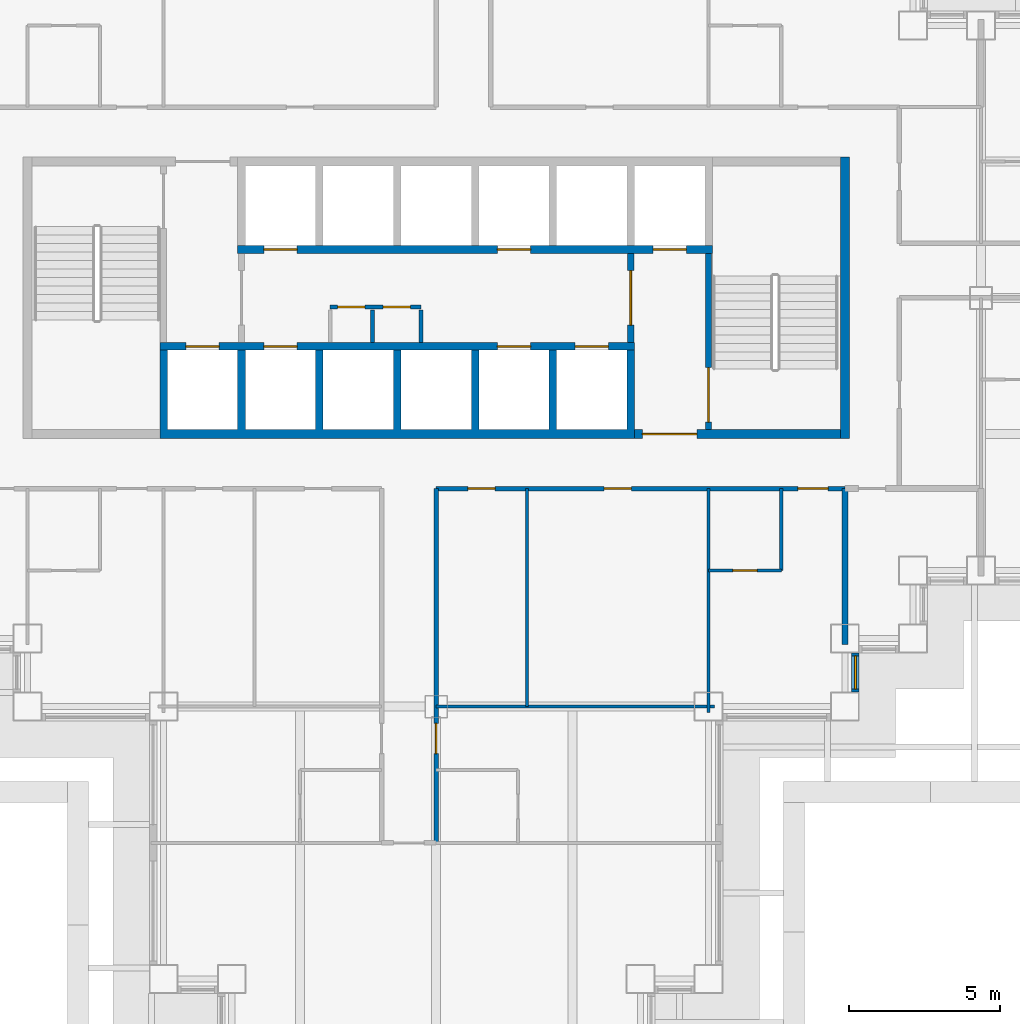
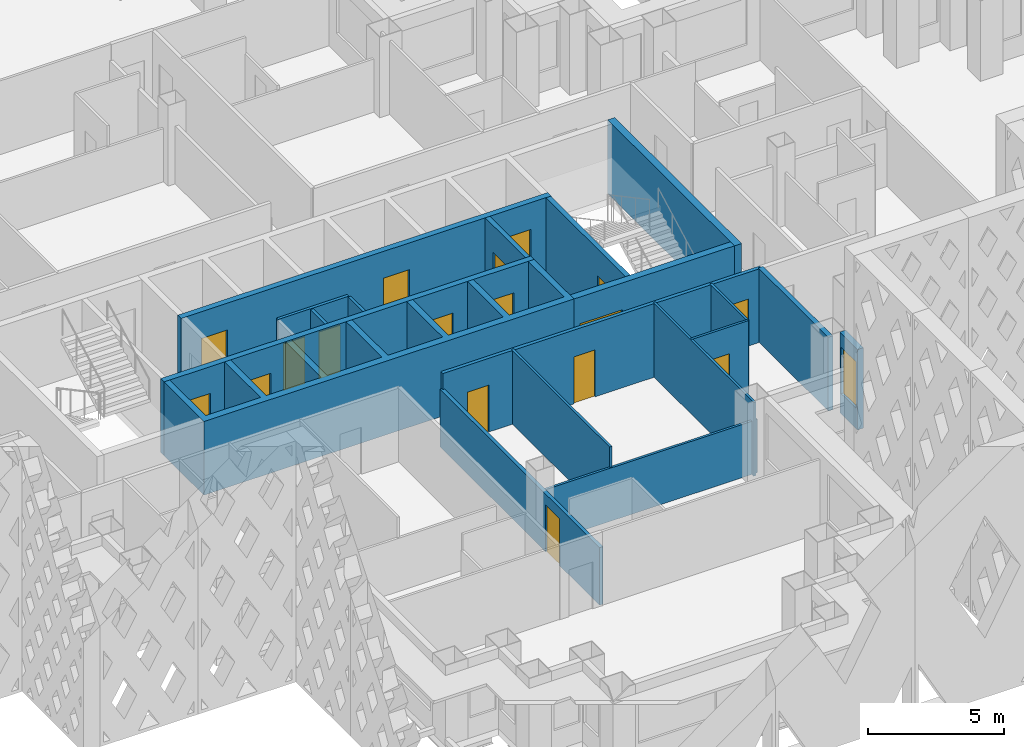
# One storey, part 5 of 19: 19 walls, 17 doors, 1 window, 18 openings.
"""IFC4 building model written with IfcOpenShell, lengths in metres."""

from ifc_helpers import new_model, si_unit, direction, frame, frame_2d, origin, place, context, subcontext, project, spatial, polyline, rectangle, outline, extrude, material, layer, layer_set, type_object, element, fill, save


model = new_model("IFC4")

# Units and contexts
model_context = context("Model", 3, precision=1e-05, world=origin(), true_north=direction((0.0, 1.0)))
body_context = subcontext(model_context, "Body", "Model", "MODEL_VIEW")
ifc_project = project(units=[si_unit("LENGTHUNIT", "METRE"), si_unit("AREAUNIT", "SQUARE_METRE"), si_unit("VOLUMEUNIT", "CUBIC_METRE"), si_unit("PLANEANGLEUNIT", "RADIAN"), si_unit("MASSUNIT", "GRAM", prefix="KILO")], contexts=[model_context])

# Site, building, storey
site_placement = place(None, origin())
site = spatial("IfcSite", under=ifc_project, at=site_placement, CompositionType="ELEMENT")
building_placement = place(site_placement, origin())
building = spatial("IfcBuilding", under=site, at=building_placement, Name="Caravel Reach Hotel and Residences", CompositionType="ELEMENT")
storey_placement = place(building_placement, frame((0.0, 0.0, 85.199951171875)))
storey = spatial("IfcBuildingStorey", under=building, at=storey_placement, Name="L20", CompositionType="ELEMENT", Elevation=85.199951171875)

# Wall, opening, door
ifc_material_1 = material(Name="Gypsum board on steel stud", Category="steel")
ifc_layer_1 = layer(ifc_material_1, 0.10009765625)
ifc_layer_set_1 = layer_set([ifc_layer_1], Name="Bathroom pod wall 100 mm")
wall_type_1 = type_object("IfcWallType", Name="Bathroom pod wall 100 mm", PredefinedType="PARTITIONING", material=ifc_layer_set_1)
wall_1_placement = place(storey_placement, frame((40.5, 18.0, 0.0), z_axis=(0.0, 0.0, 1.0), x_axis=(1.0, 0.0, 0.0)))
wall_1 = element("IfcWall", 1, at=wall_1_placement, inside=storey, type_object=wall_type_1, Name="L20 wall w074", PredefinedType="PARTITIONING", context=body_context, shape_type="SweptSolid", body=[
    extrude(rectangle(XDim=2.39990234375, YDim=0.10009765625, at=frame_2d((1.199951171875, 0.0))), origin(), (0.0, 0.0, 1.0), 3.300048828125),
])
opening_1_placement = place(wall_1_placement, frame((0.800048828125, 0.0, 0.0)))
opening_1 = element("IfcOpeningElement", 2, at=opening_1_placement, cuts=wall_1, Name="Opening D20-046", PredefinedType="OPENING", context=body_context, shape_type="SweptSolid", body=[
    extrude(rectangle(XDim=0.800048828125, YDim=2.10009765625, at=frame_2d((0.39990234375, 1.050048828125))), frame((0.0, 0.06005859375, 0.0), z_axis=(0.0, -1.0, 0.0), x_axis=(1.0, 0.0, 0.0)), (0.0, 0.0, 1.0), 0.1201171875),
])
ifc_material_2 = material(Name="Timber and steel door leaf", Category="steel")
door_type_1 = type_object("IfcDoorType", Name="Bathroom door 800 x 2100", OperationType="SINGLE_SWING_LEFT", PredefinedType="DOOR", material=ifc_material_2)
door_1_placement = place(opening_1_placement, origin())
door_1 = element("IfcDoor", 3, at=door_1_placement, inside=storey, type_object=door_type_1, Name="door D20-046", OperationType="SINGLE_SWING_RIGHT", OverallHeight=2.10009765625, OverallWidth=0.800048828125, PredefinedType="DOOR", context=body_context, shape_type="SweptSolid", body=[
    extrude(rectangle(XDim=0.800048828125, YDim=2.10009765625, at=frame_2d((0.39990234375, 1.050048828125))), frame((0.0, 0.02490234375, 0.0), z_axis=(0.0, -1.0, 0.0), x_axis=(1.0, 0.0, 0.0)), (0.0, 0.0, 1.0), 0.050048828125),
])
fill(opening_1, door_1)

# Walls
wall_2_placement = place(storey_placement, frame((42.89990234375, 18.0, 0.0), z_axis=(0.0, 0.0, 1.0), x_axis=(0.0, 1.0, 0.0)))
element("IfcWall", 4, at=wall_2_placement, inside=storey, type_object=wall_type_1, Name="L20 wall w091", PredefinedType="PARTITIONING", context=body_context, shape_type="SweptSolid", body=[
    extrude(rectangle(XDim=2.699951171875, YDim=0.10009765625, at=frame_2d((1.35009765625, 0.0))), origin(), (0.0, 0.0, 1.0), 3.300048828125),
])
ifc_material_3 = material(Name="Autoclaved aerated block wall")
ifc_layer_2 = layer(ifc_material_3, 0.199951171875)
ifc_layer_set_2 = layer_set([ifc_layer_2], Name="Compartment wall 200 mm EI 120")
wall_type_2 = type_object("IfcWallType", Name="Compartment wall 200 mm EI 120", PredefinedType="PARTITIONING", material=ifc_layer_set_2)
wall_3_placement = place(storey_placement, frame((45.0, 15.56005859375, 0.0), z_axis=(0.0, 0.0, 1.0), x_axis=(0.0, 1.0, 0.0)))
element("IfcWall", 5, at=wall_3_placement, inside=storey, type_object=wall_type_2, Name="L20 wall w098", PredefinedType="PARTITIONING", context=body_context, shape_type="SweptSolid", body=[
    extrude(rectangle(XDim=5.139892578125, YDim=0.199951171875, at=frame_2d((2.56982421875, 0.0))), origin(), (0.0, 0.0, 1.0), 3.300048828125),
])

# Wall, opening, door
ifc_material_4 = material(Name="Concrete C60", Category="concrete")
ifc_layer_3 = layer(ifc_material_4, 0.300048828125)
ifc_layer_set_3 = layer_set([ifc_layer_3], Name="Core wall 300 mm EI 120")
wall_type_3 = type_object("IfcWallType", Name="Core wall 300 mm EI 120", PredefinedType="SHEAR", material=ifc_layer_set_3)
wall_4_placement = place(storey_placement, frame((38.053466796875, 22.5, 0.0), z_axis=(0.0, 0.0, 1.0), x_axis=(1.0, 0.0, 0.0)))
wall_4 = element("IfcWall", 6, at=wall_4_placement, inside=storey, type_object=wall_type_3, Name="L20 core wall S2", PredefinedType="SHEAR", context=body_context, shape_type="SweptSolid", body=[
    extrude(rectangle(XDim=6.796630859375, YDim=0.300048828125, at=frame_2d((3.3984375, 0.0))), origin(), (0.0, 0.0, 1.0), 3.300048828125),
])
opening_2_placement = place(wall_4_placement, frame((0.2607421875, 0.0, 0.0)))
opening_2 = element("IfcOpeningElement", 7, at=opening_2_placement, cuts=wall_4, Name="Opening D20-015", PredefinedType="OPENING", context=body_context, shape_type="SweptSolid", body=[
    extrude(rectangle(XDim=1.800048828125, YDim=2.10009765625, at=frame_2d((0.89990234375, 1.050048828125))), frame((0.0, 0.159912109375, 0.0), z_axis=(0.0, -1.0, 0.0), x_axis=(1.0, 0.0, 0.0)), (0.0, 0.0, 1.0), 0.320068359375),
])
ifc_material_5 = material(Name="Steel fire door leaf", Category="steel")
door_type_2 = type_object("IfcDoorType", Name="Fire lobby door pair 1800 x 2100 EI 90", OperationType="DOUBLE_DOOR_SINGLE_SWING", PredefinedType="DOOR", material=ifc_material_5)
door_2_placement = place(opening_2_placement, origin())
door_2 = element("IfcDoor", 8, at=door_2_placement, inside=storey, type_object=door_type_2, Name="lobby S door pair to corridor", OperationType="DOUBLE_DOOR_SINGLE_SWING", OverallHeight=2.10009765625, OverallWidth=1.800048828125, PredefinedType="DOOR", context=body_context, shape_type="SweptSolid", body=[
    extrude(rectangle(XDim=1.800048828125, YDim=2.10009765625, at=frame_2d((0.89990234375, 1.050048828125))), frame((0.0, 0.02490234375, 0.0), z_axis=(0.0, -1.0, 0.0), x_axis=(1.0, 0.0, 0.0)), (0.0, 0.0, 1.0), 0.050048828125),
])
fill(opening_2, door_2)

# Wall
wall_5_placement = place(storey_placement, frame((45.0, 22.35009765625, 0.0), z_axis=(0.0, 0.0, 1.0), x_axis=(0.0, 1.0, 0.0)))
element("IfcWall", 9, at=wall_5_placement, inside=storey, type_object=wall_type_3, Name="L20 core wall E", PredefinedType="SHEAR", context=body_context, shape_type="SweptSolid", body=[
    extrude(rectangle(XDim=9.2998046875, YDim=0.300048828125, at=frame_2d((4.64990234375, 0.0))), origin(), (0.0, 0.0, 1.0), 3.300048828125),
])

# Wall, openings, doors
ifc_material_6 = material(Name="Gypsum board on steel stud, fire-rated", Category="steel")
ifc_layer_4 = layer(ifc_material_6, 0.14990234375)
ifc_layer_set_4 = layer_set([ifc_layer_4], Name="Corridor wall 150 mm EI 60")
wall_type_4 = type_object("IfcWallType", Name="Corridor wall 150 mm EI 60", PredefinedType="PARTITIONING", material=ifc_layer_set_4)
wall_6_placement = place(storey_placement, frame((31.5, 20.699951171875, 0.0), z_axis=(0.0, 0.0, 1.0), x_axis=(1.0, 0.0, 0.0)))
wall_6 = element("IfcWall", 10, at=wall_6_placement, inside=storey, type_object=wall_type_4, Name="L20 wall w005", PredefinedType="PARTITIONING", context=body_context, shape_type="SweptSolid", body=[
    extrude(rectangle(XDim=13.5, YDim=0.14990234375, at=frame_2d((6.75, 0.0))), origin(), (0.0, 0.0, 1.0), 3.300048828125),
])
opening_3_placement = place(wall_6_placement, frame((11.949951171875, 0.0, 0.0)))
opening_3 = element("IfcOpeningElement", 11, at=opening_3_placement, cuts=wall_6, Name="Opening D20-045", PredefinedType="OPENING", context=body_context, shape_type="SweptSolid", body=[
    extrude(rectangle(XDim=1.0, YDim=2.10009765625, at=frame_2d((0.5, 1.050048828125))), frame((0.0, 0.0849609375, 0.0), z_axis=(0.0, -1.0, 0.0), x_axis=(1.0, 0.0, 0.0)), (0.0, 0.0, 1.0), 0.169921875),
])
opening_4_placement = place(wall_6_placement, frame((1.050048828125, 0.0, 0.0)))
opening_4 = element("IfcOpeningElement", 12, at=opening_4_placement, cuts=wall_6, Name="Opening D20-052", PredefinedType="OPENING", context=body_context, shape_type="SweptSolid", body=[
    extrude(rectangle(XDim=0.89990234375, YDim=2.10009765625, at=frame_2d((0.449951171875, 1.050048828125))), frame((0.0, 0.0849609375, 0.0), z_axis=(0.0, -1.0, 0.0), x_axis=(1.0, 0.0, 0.0)), (0.0, 0.0, 1.0), 0.169921875),
])
opening_5_placement = place(wall_6_placement, frame((5.550048828125, 0.0, 0.0)))
opening_5 = element("IfcOpeningElement", 13, at=opening_5_placement, cuts=wall_6, Name="Opening D20-053", PredefinedType="OPENING", context=body_context, shape_type="SweptSolid", body=[
    extrude(rectangle(XDim=0.89990234375, YDim=2.10009765625, at=frame_2d((0.449951171875, 1.050048828125))), frame((0.0, 0.0849609375, 0.0), z_axis=(0.0, -1.0, 0.0), x_axis=(1.0, 0.0, 0.0)), (0.0, 0.0, 1.0), 0.169921875),
])
ifc_material_7 = material(Name="Timber and steel door leaf", Category="steel")
door_type_3 = type_object("IfcDoorType", Name="Door 900 x 2100 timber", OperationType="SINGLE_SWING_LEFT", PredefinedType="DOOR", material=ifc_material_7)
door_3_placement = place(opening_4_placement, origin())
door_3 = element("IfcDoor", 14, at=door_3_placement, inside=storey, type_object=door_type_3, Name="door D20-052", OperationType="SINGLE_SWING_RIGHT", OverallHeight=2.10009765625, OverallWidth=0.89990234375, PredefinedType="DOOR", context=body_context, shape_type="SweptSolid", body=[
    extrude(rectangle(XDim=0.89990234375, YDim=2.10009765625, at=frame_2d((0.449951171875, 1.050048828125))), frame((0.0, 0.02490234375, 0.0), z_axis=(0.0, -1.0, 0.0), x_axis=(1.0, 0.0, 0.0)), (0.0, 0.0, 1.0), 0.050048828125),
])
fill(opening_4, door_3)
door_4_placement = place(opening_5_placement, origin())
door_4 = element("IfcDoor", 15, at=door_4_placement, inside=storey, type_object=door_type_3, Name="door D20-053", OperationType="SINGLE_SWING_LEFT", OverallHeight=2.10009765625, OverallWidth=0.89990234375, PredefinedType="DOOR", context=body_context, shape_type="SweptSolid", body=[
    extrude(rectangle(XDim=0.89990234375, YDim=2.10009765625, at=frame_2d((0.449951171875, 1.050048828125))), frame((0.0, 0.02490234375, 0.0), z_axis=(0.0, -1.0, 0.0), x_axis=(1.0, 0.0, 0.0)), (0.0, 0.0, 1.0), 0.050048828125),
])
fill(opening_5, door_4)
ifc_material_8 = material(Name="Steel fire door leaf", Category="steel")
door_type_4 = type_object("IfcDoorType", Name="Guest room door 1000 x 2100 EI 30", OperationType="SINGLE_SWING_LEFT", PredefinedType="DOOR", material=ifc_material_8)
door_5_placement = place(opening_3_placement, origin())
door_5 = element("IfcDoor", 16, at=door_5_placement, inside=storey, type_object=door_type_4, Name="door D20-045", OperationType="SINGLE_SWING_RIGHT", OverallHeight=2.10009765625, OverallWidth=1.0, PredefinedType="DOOR", context=body_context, shape_type="SweptSolid", body=[
    extrude(rectangle(XDim=1.0, YDim=2.10009765625, at=frame_2d((0.5, 1.050048828125))), frame((0.0, 0.02490234375, 0.0), z_axis=(0.0, -1.0, 0.0), x_axis=(1.0, 0.0, 0.0)), (0.0, 0.0, 1.0), 0.050048828125),
])
fill(opening_3, door_5)

# Wall, opening, door
wall_7_placement = place(storey_placement, frame((31.5, 9.0, 0.0), z_axis=(0.0, 0.0, 1.0), x_axis=(0.0, 1.0, 0.0)))
wall_7 = element("IfcWall", 17, at=wall_7_placement, inside=storey, type_object=wall_type_4, Name="L20 wall w029", PredefinedType="PARTITIONING", context=body_context, shape_type="SweptSolid", body=[
    extrude(rectangle(XDim=11.699951171875, YDim=0.14990234375, at=frame_2d((5.85009765625, 0.0))), origin(), (0.0, 0.0, 1.0), 2.580078125),
])
opening_6_placement = place(wall_7_placement, frame((2.949951171875, 0.0, 0.0)))
opening_6 = element("IfcOpeningElement", 18, at=opening_6_placement, cuts=wall_7, Name="Opening D20-032", PredefinedType="OPENING", context=body_context, shape_type="SweptSolid", body=[
    extrude(rectangle(XDim=1.0, YDim=2.10009765625, at=frame_2d((0.5, 1.050048828125))), frame((0.0, 0.0849609375, 0.0), z_axis=(0.0, -1.0, 0.0), x_axis=(1.0, 0.0, 0.0)), (0.0, 0.0, 1.0), 0.169921875),
])
door_6_placement = place(opening_6_placement, origin())
door_6 = element("IfcDoor", 19, at=door_6_placement, inside=storey, type_object=door_type_4, Name="door D20-032", OperationType="SINGLE_SWING_RIGHT", OverallHeight=2.10009765625, OverallWidth=1.0, PredefinedType="DOOR", context=body_context, shape_type="SweptSolid", body=[
    extrude(rectangle(XDim=1.0, YDim=2.10009765625, at=frame_2d((0.5, 1.050048828125))), frame((0.0, 0.02490234375, 0.0), z_axis=(0.0, -1.0, 0.0), x_axis=(1.0, 0.0, 0.0)), (0.0, 0.0, 1.0), 0.050048828125),
])
fill(opening_6, door_6)

# Wall, opening, window
ifc_material_9 = material(Name="Insulated rainscreen wall, aluminium cladding", Category="aluminium")
ifc_layer_5 = layer(ifc_material_9, 0.25)
ifc_layer_set_5 = layer_set([ifc_layer_5], Name="EW1 Tower rainscreen wall")
wall_type_5 = type_object("IfcWallType", Name="EW1 Tower rainscreen wall", PredefinedType="SOLIDWALL", material=ifc_layer_set_5)
wall_8_placement = place(storey_placement, frame((45.35009765625, 13.97509765625, 0.0), z_axis=(0.0, 0.0, 1.0), x_axis=(0.0, 1.0, 0.0)))
wall_8 = element("IfcWall", 20, at=wall_8_placement, inside=storey, type_object=wall_type_5, Name="External wall L20 E12.1", PredefinedType="SOLIDWALL", context=body_context, shape_type="SweptSolid", body=[
    extrude(rectangle(XDim=1.2998046875, YDim=0.25, at=frame_2d((0.64990234375, 0.0))), origin(), (0.0, 0.0, 1.0), 3.60009765625),
])
opening_7_placement = place(wall_8_placement, frame((0.10009765625, 0.0, 0.89990234375)))
opening_7 = element("IfcOpeningElement", 21, at=opening_7_placement, cuts=wall_8, Name="Opening WN5", PredefinedType="OPENING", context=body_context, shape_type="SweptSolid", body=[
    extrude(rectangle(XDim=1.10009765625, YDim=2.080078125, at=frame_2d((0.550048828125, 1.0400390625))), frame((0.0, 0.135009765625, 0.0), z_axis=(0.0, -1.0, 0.0), x_axis=(1.0, 0.0, 0.0)), (0.0, 0.0, 1.0), 0.27001953125),
])
ifc_material_10 = material(Name="Dark low-e glazing in black aluminium frame", Category="aluminium")
window_type = type_object("IfcWindowType", Name="Hotel suite corner window 1100 x 2080", PartitioningType="SINGLE_PANEL", PredefinedType="WINDOW", material=ifc_material_10)
window_placement = place(opening_7_placement, origin())
window = element("IfcWindow", 22, at=window_placement, inside=storey, type_object=window_type, Name="Window L20 E12.1.1", OverallHeight=2.080078125, OverallWidth=1.10009765625, PartitioningType="SINGLE_PANEL", PredefinedType="WINDOW", context=body_context, shape_type="SweptSolid", body=[
    extrude(rectangle(XDim=1.10009765625, YDim=2.080078125, at=frame_2d((0.550048828125, 1.0400390625))), frame((0.0, 0.030029296875, 0.0), z_axis=(0.0, -1.0, 0.0), x_axis=(1.0, 0.0, 0.0)), (0.0, 0.0, 1.0), 0.06005859375),
])
fill(opening_7, window)

# Wall, opening, door
ifc_material_11 = material(Name="Autoclaved aerated block wall")
ifc_layer_6 = layer(ifc_material_11, 0.199951171875)
ifc_layer_set_6 = layer_set([ifc_layer_6], Name="Fire lobby wall 200 mm EI 120")
wall_type_6 = type_object("IfcWallType", Name="Fire lobby wall 200 mm EI 120", PredefinedType="PARTITIONING", material=ifc_layer_set_6)
wall_9_placement = place(storey_placement, frame((37.928466796875, 25.52490234375, 0.0), z_axis=(0.0, 0.0, 1.0), x_axis=(0.0, 1.0, 0.0)))
wall_9 = element("IfcWall", 23, at=wall_9_placement, inside=storey, type_object=wall_type_6, Name="L20 lobby E wall", PredefinedType="PARTITIONING", context=body_context, shape_type="SweptSolid", body=[
    extrude(rectangle(XDim=2.9501953125, YDim=0.199951171875, at=frame_2d((1.47509765625, 0.0))), origin(), (0.0, 0.0, 1.0), 3.300048828125),
])
opening_8_placement = place(wall_9_placement, frame((0.574951171875, 0.0, 0.0)))
opening_8 = element("IfcOpeningElement", 24, at=opening_8_placement, cuts=wall_9, Name="Opening D20-013", PredefinedType="OPENING", context=body_context, shape_type="SweptSolid", body=[
    extrude(rectangle(XDim=1.800048828125, YDim=2.10009765625, at=frame_2d((0.89990234375, 1.050048828125))), frame((0.0, 0.10986328125, 0.0), z_axis=(0.0, -1.0, 0.0), x_axis=(1.0, 0.0, 0.0)), (0.0, 0.0, 1.0), 0.219970703125),
])
door_7_placement = place(opening_8_placement, origin())
door_7 = element("IfcDoor", 25, at=door_7_placement, inside=storey, type_object=door_type_2, Name="lobby E door pair", OperationType="DOUBLE_DOOR_SINGLE_SWING", OverallHeight=2.10009765625, OverallWidth=1.800048828125, PredefinedType="DOOR", context=body_context, shape_type="SweptSolid", body=[
    extrude(rectangle(XDim=1.800048828125, YDim=2.10009765625, at=frame_2d((0.89990234375, 1.050048828125))), frame((0.0, 0.02490234375, 0.0), z_axis=(0.0, -1.0, 0.0), x_axis=(1.0, 0.0, 0.0)), (0.0, 0.0, 1.0), 0.050048828125),
])
fill(opening_8, door_7)

# Walls
ifc_material_12 = material(Name="Gypsum board on steel stud", Category="steel")
ifc_layer_7 = layer(ifc_material_12, 0.10009765625)
ifc_layer_set_7 = layer_set([ifc_layer_7], Name="Partition 100 mm")
wall_type_7 = type_object("IfcWallType", Name="Partition 100 mm", PredefinedType="PARTITIONING", material=ifc_layer_set_7)
wall_10_placement = place(storey_placement, frame((31.5, 13.5, 0.0), z_axis=(0.0, 0.0, 1.0), x_axis=(1.0, 0.0, 0.0)))
element("IfcWall", 26, at=wall_10_placement, inside=storey, type_object=wall_type_7, Name="L20 wall w038", PredefinedType="PARTITIONING", context=body_context, shape_type="SweptSolid", body=[
    extrude(rectangle(XDim=9.18994140625, YDim=0.10009765625, at=frame_2d((4.594970703125, 0.0))), origin(), (0.0, 0.0, 1.0), 2.380126953125),
])
wall_11_placement = place(storey_placement, frame((34.5, 13.5, 0.0), z_axis=(0.0, 0.0, 1.0), x_axis=(0.0, 1.0, 0.0)))
element("IfcWall", 27, at=wall_11_placement, inside=storey, type_object=wall_type_7, Name="L20 wall w058", PredefinedType="PARTITIONING", context=body_context, shape_type="SweptSolid", body=[
    extrude(rectangle(XDim=7.199951171875, YDim=0.10009765625, at=frame_2d((3.60009765625, 0.0))), origin(), (0.0, 0.0, 1.0), 3.300048828125),
])
wall_12_placement = place(storey_placement, frame((40.5, 13.31005859375, 0.0), z_axis=(0.0, 0.0, 1.0), x_axis=(0.0, 1.0, 0.0)))
element("IfcWall", 28, at=wall_12_placement, inside=storey, type_object=wall_type_7, Name="L20 wall w062", PredefinedType="PARTITIONING", context=body_context, shape_type="SweptSolid", body=[
    extrude(rectangle(XDim=7.389892578125, YDim=0.10009765625, at=frame_2d((3.69482421875, 0.0))), origin(), (0.0, 0.0, 1.0), 3.300048828125),
])

# Wall, openings, doors
ifc_material_13 = material(Name="Autoclaved aerated block wall")
ifc_layer_8 = layer(ifc_material_13, 0.125)
ifc_layer_set_8 = layer_set([ifc_layer_8], Name="Riser wall 125 mm EI 60")
wall_type_8 = type_object("IfcWallType", Name="Riser wall 125 mm EI 60", PredefinedType="PARTITIONING", material=ifc_layer_set_8)
wall_13_placement = place(storey_placement, frame((28.0, 26.699951171875, 0.0), z_axis=(0.0, 0.0, 1.0), x_axis=(1.0, 0.0, 0.0)))
wall_13 = element("IfcWall", 29, at=wall_13_placement, inside=storey, type_object=wall_type_8, Name="L20 service room wall S1", PredefinedType="PARTITIONING", context=body_context, shape_type="SweptSolid", body=[
    extrude(rectangle(XDim=3.0, YDim=0.125, at=frame_2d((1.5, 0.0))), origin(), (0.0, 0.0, 1.0), 3.300048828125),
])
opening_9_placement = place(wall_13_placement, frame((0.25, 0.0, 0.0)))
opening_9 = element("IfcOpeningElement", 30, at=opening_9_placement, cuts=wall_13, Name="Opening D20-008", PredefinedType="OPENING", context=body_context, shape_type="SweptSolid", body=[
    extrude(rectangle(XDim=0.89990234375, YDim=2.10009765625, at=frame_2d((0.449951171875, 1.050048828125))), frame((0.0, 0.072509765625, 0.0), z_axis=(0.0, -1.0, 0.0), x_axis=(1.0, 0.0, 0.0)), (0.0, 0.0, 1.0), 0.14501953125),
])
opening_10_placement = place(wall_13_placement, frame((1.75, 0.0, 0.0)))
opening_10 = element("IfcOpeningElement", 31, at=opening_10_placement, cuts=wall_13, Name="Opening D20-009", PredefinedType="OPENING", context=body_context, shape_type="SweptSolid", body=[
    extrude(rectangle(XDim=0.89990234375, YDim=2.10009765625, at=frame_2d((0.449951171875, 1.050048828125))), frame((0.0, 0.072509765625, 0.0), z_axis=(0.0, -1.0, 0.0), x_axis=(1.0, 0.0, 0.0)), (0.0, 0.0, 1.0), 0.14501953125),
])
ifc_material_14 = material(Name="Steel fire door leaf", Category="steel")
door_type_5 = type_object("IfcDoorType", Name="Riser door 900 x 2100 EI 60", OperationType="SINGLE_SWING_LEFT", PredefinedType="DOOR", material=ifc_material_14)
door_8_placement = place(opening_9_placement, origin())
door_8 = element("IfcDoor", 32, at=door_8_placement, inside=storey, type_object=door_type_5, Name="Cleaners' room door", OperationType="SINGLE_SWING_LEFT", OverallHeight=2.10009765625, OverallWidth=0.89990234375, PredefinedType="DOOR", context=body_context, shape_type="SweptSolid", body=[
    extrude(rectangle(XDim=0.89990234375, YDim=2.10009765625, at=frame_2d((0.449951171875, 1.050048828125))), frame((0.0, 0.02490234375, 0.0), z_axis=(0.0, -1.0, 0.0), x_axis=(1.0, 0.0, 0.0)), (0.0, 0.0, 1.0), 0.050048828125),
])
fill(opening_9, door_8)
door_9_placement = place(opening_10_placement, origin())
door_9 = element("IfcDoor", 33, at=door_9_placement, inside=storey, type_object=door_type_5, Name="Linen store door", OperationType="SINGLE_SWING_LEFT", OverallHeight=2.10009765625, OverallWidth=0.89990234375, PredefinedType="DOOR", context=body_context, shape_type="SweptSolid", body=[
    extrude(rectangle(XDim=0.89990234375, YDim=2.10009765625, at=frame_2d((0.449951171875, 1.050048828125))), frame((0.0, 0.02490234375, 0.0), z_axis=(0.0, -1.0, 0.0), x_axis=(1.0, 0.0, 0.0)), (0.0, 0.0, 1.0), 0.050048828125),
])
fill(opening_10, door_9)

# Walls
for number, where, z_axis, x_axis, name in (
    (34, (29.39990234375, 25.52490234375, 0.0), (0.0, 0.0, 1.0), (0.0, 1.0, 0.0), "L20 service room partition S1"),
    (35, (31.0, 25.52490234375, 0.0), (0.0, 0.0, 1.0), (0.0, 1.0, 0.0), "L20 service room partition S1"),
):
    element("IfcWall", number, at=place(storey_placement, frame(where, z_axis=z_axis, x_axis=x_axis)), inside=storey, type_object=wall_type_8, Name=name, PredefinedType="PARTITIONING", context=body_context, shape_type="SweptSolid", body=[
        extrude(rectangle(XDim=1.0751953125, YDim=0.125, at=frame_2d((0.53759765625, 0.0))), origin(), (0.0, 0.0, 1.0), 3.300048828125),
    ])
ifc_material_15 = material(Name="Concrete C60", Category="concrete")
ifc_layer_9 = layer(ifc_material_15, 0.25)
ifc_layer_set_9 = layer_set([ifc_layer_9], Name="Shaft wall 250 mm EI 120")
wall_type_9 = type_object("IfcWallType", Name="Shaft wall 250 mm EI 120", PredefinedType="SHEAR", material=ifc_layer_set_9)
wall_14_placement = place(storey_placement, origin())
element("IfcWall", 36, at=wall_14_placement, inside=storey, type_object=wall_type_9, Name="L20 lift shaft wall S1", PredefinedType="SHEAR", context=body_context, shape_type="SweptSolid", body=[
    extrude(outline(polyline([(22.375, 22.35009765625), (38.053466796875, 22.35009765625), (38.053466796875, 25.27490234375), (37.803466796875, 25.27490234375), (37.803466796875, 22.64990234375), (35.482177734375, 22.64990234375), (35.482177734375, 25.27490234375), (35.232177734375, 25.27490234375), (35.232177734375, 22.64990234375), (32.91064453125, 22.64990234375), (32.91064453125, 25.27490234375), (32.66064453125, 25.27490234375), (32.66064453125, 22.64990234375), (30.33935546875, 22.64990234375), (30.33935546875, 25.27490234375), (30.08935546875, 25.27490234375), (30.08935546875, 22.64990234375), (27.767822265625, 22.64990234375), (27.767822265625, 25.27490234375), (27.517822265625, 25.27490234375), (27.517822265625, 22.64990234375), (25.196533203125, 22.64990234375), (25.196533203125, 25.27490234375), (24.946533203125, 25.27490234375), (24.946533203125, 22.64990234375), (22.625, 22.64990234375), (22.625, 25.27490234375), (22.375, 25.27490234375), (22.375, 22.35009765625)])), origin(), (0.0, 0.0, 1.0), 3.300048828125),
])

# Wall, openings, doors
wall_15_placement = place(storey_placement, frame((22.375, 25.39990234375, 0.0), z_axis=(0.0, 0.0, 1.0), x_axis=(1.0, 0.0, 0.0)))
wall_15 = element("IfcWall", 37, at=wall_15_placement, inside=storey, type_object=wall_type_9, Name="L20 lobby wall S1", PredefinedType="SHEAR", context=body_context, shape_type="SweptSolid", body=[
    extrude(rectangle(XDim=15.678466796875, YDim=0.25, at=frame_2d((7.83935546875, 0.0))), origin(), (0.0, 0.0, 1.0), 3.300048828125),
])
opening_11_placement = place(wall_15_placement, frame((3.43212890625, 0.0, 0.0)))
opening_11 = element("IfcOpeningElement", 38, at=opening_11_placement, cuts=wall_15, Name="Opening D20-001", PredefinedType="OPENING", context=body_context, shape_type="SweptSolid", body=[
    extrude(rectangle(XDim=1.10009765625, YDim=2.10009765625, at=frame_2d((0.550048828125, 1.050048828125))), frame((0.0, 0.135009765625, 0.0), z_axis=(0.0, -1.0, 0.0), x_axis=(1.0, 0.0, 0.0)), (0.0, 0.0, 1.0), 0.27001953125),
])
opening_12_placement = place(wall_15_placement, frame((11.146484375, 0.0, 0.0)))
opening_12 = element("IfcOpeningElement", 39, at=opening_12_placement, cuts=wall_15, Name="Opening D20-002", PredefinedType="OPENING", context=body_context, shape_type="SweptSolid", body=[
    extrude(rectangle(XDim=1.10009765625, YDim=2.10009765625, at=frame_2d((0.550048828125, 1.050048828125))), frame((0.0, 0.135009765625, 0.0), z_axis=(0.0, -1.0, 0.0), x_axis=(1.0, 0.0, 0.0)), (0.0, 0.0, 1.0), 0.27001953125),
])
opening_13_placement = place(wall_15_placement, frame((13.718017578125, 0.0, 0.0)))
opening_13 = element("IfcOpeningElement", 40, at=opening_13_placement, cuts=wall_15, Name="Opening D20-003", PredefinedType="OPENING", context=body_context, shape_type="SweptSolid", body=[
    extrude(rectangle(XDim=1.10009765625, YDim=2.10009765625, at=frame_2d((0.550048828125, 1.050048828125))), frame((0.0, 0.135009765625, 0.0), z_axis=(0.0, -1.0, 0.0), x_axis=(1.0, 0.0, 0.0)), (0.0, 0.0, 1.0), 0.27001953125),
])
opening_14_placement = place(wall_15_placement, frame((0.860595703125, 0.0, 0.0)))
opening_14 = element("IfcOpeningElement", 41, at=opening_14_placement, cuts=wall_15, Name="Opening D20-006", PredefinedType="OPENING", context=body_context, shape_type="SweptSolid", body=[
    extrude(rectangle(XDim=1.10009765625, YDim=2.10009765625, at=frame_2d((0.550048828125, 1.050048828125))), frame((0.0, 0.135009765625, 0.0), z_axis=(0.0, -1.0, 0.0), x_axis=(1.0, 0.0, 0.0)), (0.0, 0.0, 1.0), 0.27001953125),
])
ifc_material_16 = material(Name="Stainless steel landing door", Category="steel")
door_type_6 = type_object("IfcDoorType", Name="Landing door LD 1100 x 2100 sliding", OperationType="DOUBLE_DOOR_SLIDING", PredefinedType="DOOR", material=ifc_material_16)
door_10_placement = place(opening_11_placement, origin())
door_10 = element("IfcDoor", 42, at=door_10_placement, inside=storey, type_object=door_type_6, Name="LP1 landing door", OperationType="DOUBLE_DOOR_SLIDING", OverallHeight=2.10009765625, OverallWidth=1.10009765625, PredefinedType="DOOR", context=body_context, shape_type="SweptSolid", body=[
    extrude(rectangle(XDim=1.10009765625, YDim=2.10009765625, at=frame_2d((0.550048828125, 1.050048828125))), frame((0.0, 0.02490234375, 0.0), z_axis=(0.0, -1.0, 0.0), x_axis=(1.0, 0.0, 0.0)), (0.0, 0.0, 1.0), 0.050048828125),
])
fill(opening_11, door_10)
door_11_placement = place(opening_12_placement, origin())
door_11 = element("IfcDoor", 43, at=door_11_placement, inside=storey, type_object=door_type_6, Name="LP2 landing door", OperationType="DOUBLE_DOOR_SLIDING", OverallHeight=2.10009765625, OverallWidth=1.10009765625, PredefinedType="DOOR", context=body_context, shape_type="SweptSolid", body=[
    extrude(rectangle(XDim=1.10009765625, YDim=2.10009765625, at=frame_2d((0.550048828125, 1.050048828125))), frame((0.0, 0.02490234375, 0.0), z_axis=(0.0, -1.0, 0.0), x_axis=(1.0, 0.0, 0.0)), (0.0, 0.0, 1.0), 0.050048828125),
])
fill(opening_12, door_11)
door_12_placement = place(opening_13_placement, origin())
door_12 = element("IfcDoor", 44, at=door_12_placement, inside=storey, type_object=door_type_6, Name="LP3 landing door", OperationType="DOUBLE_DOOR_SLIDING", OverallHeight=2.10009765625, OverallWidth=1.10009765625, PredefinedType="DOOR", context=body_context, shape_type="SweptSolid", body=[
    extrude(rectangle(XDim=1.10009765625, YDim=2.10009765625, at=frame_2d((0.550048828125, 1.050048828125))), frame((0.0, 0.02490234375, 0.0), z_axis=(0.0, -1.0, 0.0), x_axis=(1.0, 0.0, 0.0)), (0.0, 0.0, 1.0), 0.050048828125),
])
fill(opening_13, door_12)
door_13_placement = place(opening_14_placement, origin())
door_13 = element("IfcDoor", 45, at=door_13_placement, inside=storey, type_object=door_type_6, Name="FL1 landing door", OperationType="DOUBLE_DOOR_SLIDING", OverallHeight=2.10009765625, OverallWidth=1.10009765625, PredefinedType="DOOR", context=body_context, shape_type="SweptSolid", body=[
    extrude(rectangle(XDim=1.10009765625, YDim=2.10009765625, at=frame_2d((0.550048828125, 1.050048828125))), frame((0.0, 0.02490234375, 0.0), z_axis=(0.0, -1.0, 0.0), x_axis=(1.0, 0.0, 0.0)), (0.0, 0.0, 1.0), 0.050048828125),
])
fill(opening_14, door_13)

wall_16_placement = place(storey_placement, frame((24.946533203125, 28.60009765625, 0.0), z_axis=(0.0, 0.0, 1.0), x_axis=(1.0, 0.0, 0.0)))
wall_16 = element("IfcWall", 46, at=wall_16_placement, inside=storey, type_object=wall_type_9, Name="L20 lobby wall N1", PredefinedType="SHEAR", context=body_context, shape_type="SweptSolid", body=[
    extrude(rectangle(XDim=15.678466796875, YDim=0.25, at=frame_2d((7.83935546875, 0.0))), origin(), (0.0, 0.0, 1.0), 3.300048828125),
])
opening_15_placement = place(wall_16_placement, frame((0.860595703125, 0.0, 0.0)))
opening_15 = element("IfcOpeningElement", 47, at=opening_15_placement, cuts=wall_16, Name="Opening D20-004", PredefinedType="OPENING", context=body_context, shape_type="SweptSolid", body=[
    extrude(rectangle(XDim=1.10009765625, YDim=2.10009765625, at=frame_2d((0.550048828125, 1.050048828125))), frame((0.0, 0.135009765625, 0.0), z_axis=(0.0, -1.0, 0.0), x_axis=(1.0, 0.0, 0.0)), (0.0, 0.0, 1.0), 0.27001953125),
])
opening_16_placement = place(wall_16_placement, frame((8.574951171875, 0.0, 0.0)))
opening_16 = element("IfcOpeningElement", 48, at=opening_16_placement, cuts=wall_16, Name="Opening D20-005", PredefinedType="OPENING", context=body_context, shape_type="SweptSolid", body=[
    extrude(rectangle(XDim=1.10009765625, YDim=2.10009765625, at=frame_2d((0.550048828125, 1.050048828125))), frame((0.0, 0.135009765625, 0.0), z_axis=(0.0, -1.0, 0.0), x_axis=(1.0, 0.0, 0.0)), (0.0, 0.0, 1.0), 0.27001953125),
])
opening_17_placement = place(wall_16_placement, frame((13.718017578125, 0.0, 0.0)))
opening_17 = element("IfcOpeningElement", 49, at=opening_17_placement, cuts=wall_16, Name="Opening D20-007", PredefinedType="OPENING", context=body_context, shape_type="SweptSolid", body=[
    extrude(rectangle(XDim=1.10009765625, YDim=2.10009765625, at=frame_2d((0.550048828125, 1.050048828125))), frame((0.0, 0.135009765625, 0.0), z_axis=(0.0, -1.0, 0.0), x_axis=(1.0, 0.0, 0.0)), (0.0, 0.0, 1.0), 0.27001953125),
])
door_14_placement = place(opening_15_placement, origin())
door_14 = element("IfcDoor", 50, at=door_14_placement, inside=storey, type_object=door_type_6, Name="LP4 landing door", OperationType="DOUBLE_DOOR_SLIDING", OverallHeight=2.10009765625, OverallWidth=1.10009765625, PredefinedType="DOOR", context=body_context, shape_type="SweptSolid", body=[
    extrude(rectangle(XDim=1.10009765625, YDim=2.10009765625, at=frame_2d((0.550048828125, 1.050048828125))), frame((0.0, 0.02490234375, 0.0), z_axis=(0.0, -1.0, 0.0), x_axis=(1.0, 0.0, 0.0)), (0.0, 0.0, 1.0), 0.050048828125),
])
fill(opening_15, door_14)
door_15_placement = place(opening_16_placement, origin())
door_15 = element("IfcDoor", 51, at=door_15_placement, inside=storey, type_object=door_type_6, Name="LP5 landing door", OperationType="DOUBLE_DOOR_SLIDING", OverallHeight=2.10009765625, OverallWidth=1.10009765625, PredefinedType="DOOR", context=body_context, shape_type="SweptSolid", body=[
    extrude(rectangle(XDim=1.10009765625, YDim=2.10009765625, at=frame_2d((0.550048828125, 1.050048828125))), frame((0.0, 0.02490234375, 0.0), z_axis=(0.0, -1.0, 0.0), x_axis=(1.0, 0.0, 0.0)), (0.0, 0.0, 1.0), 0.050048828125),
])
fill(opening_16, door_15)
door_16_placement = place(opening_17_placement, origin())
door_16 = element("IfcDoor", 52, at=door_16_placement, inside=storey, type_object=door_type_6, Name="FL2 landing door", OperationType="DOUBLE_DOOR_SLIDING", OverallHeight=2.10009765625, OverallWidth=1.10009765625, PredefinedType="DOOR", context=body_context, shape_type="SweptSolid", body=[
    extrude(rectangle(XDim=1.10009765625, YDim=2.10009765625, at=frame_2d((0.550048828125, 1.050048828125))), frame((0.0, 0.02490234375, 0.0), z_axis=(0.0, -1.0, 0.0), x_axis=(1.0, 0.0, 0.0)), (0.0, 0.0, 1.0), 0.050048828125),
])
fill(opening_17, door_16)

# Wall, opening, door
ifc_material_17 = material(Name="Concrete C60", Category="concrete")
ifc_layer_10 = layer(ifc_material_17, 0.199951171875)
ifc_layer_set_10 = layer_set([ifc_layer_10], Name="Stair enclosure wall 200 mm EI 120")
wall_type_10 = type_object("IfcWallType", Name="Stair enclosure wall 200 mm EI 120", PredefinedType="SHEAR", material=ifc_layer_set_10)
wall_17_placement = place(storey_placement, frame((40.5, 22.64990234375, 0.0), z_axis=(0.0, 0.0, 1.0), x_axis=(0.0, 1.0, 0.0)))
wall_17 = element("IfcWall", 53, at=wall_17_placement, inside=storey, type_object=wall_type_10, Name="L20 stair B wall", PredefinedType="SHEAR", context=body_context, shape_type="SweptSolid", body=[
    extrude(rectangle(XDim=5.8251953125, YDim=0.199951171875, at=frame_2d((2.91259765625, 0.0))), origin(), (0.0, 0.0, 1.0), 3.300048828125),
])
opening_18_placement = place(wall_17_placement, frame((0.25, 0.0, 0.0)))
opening_18 = element("IfcOpeningElement", 54, at=opening_18_placement, cuts=wall_17, Name="Opening D20-011", PredefinedType="OPENING", context=body_context, shape_type="SweptSolid", body=[
    extrude(rectangle(XDim=1.800048828125, YDim=2.10009765625, at=frame_2d((0.89990234375, 1.050048828125))), frame((0.0, 0.10986328125, 0.0), z_axis=(0.0, -1.0, 0.0), x_axis=(1.0, 0.0, 0.0)), (0.0, 0.0, 1.0), 0.219970703125),
])
ifc_material_18 = material(Name="Steel fire door leaf", Category="steel")
door_type_7 = type_object("IfcDoorType", Name="Stair door pair 1800 x 2100 EI 90", OperationType="DOUBLE_DOOR_SINGLE_SWING", PredefinedType="DOOR", material=ifc_material_18)
door_17_placement = place(opening_18_placement, origin())
door_17 = element("IfcDoor", 55, at=door_17_placement, inside=storey, type_object=door_type_7, Name="stair B door pair", OperationType="DOUBLE_DOOR_SINGLE_SWING", OverallHeight=2.10009765625, OverallWidth=1.800048828125, PredefinedType="DOOR", context=body_context, shape_type="SweptSolid", body=[
    extrude(rectangle(XDim=1.800048828125, YDim=2.10009765625, at=frame_2d((0.89990234375, 1.050048828125))), frame((0.0, 0.02490234375, 0.0), z_axis=(0.0, -1.0, 0.0), x_axis=(1.0, 0.0, 0.0)), (0.0, 0.0, 1.0), 0.050048828125),
])
fill(opening_18, door_17)

save(model, "model.ifc")
